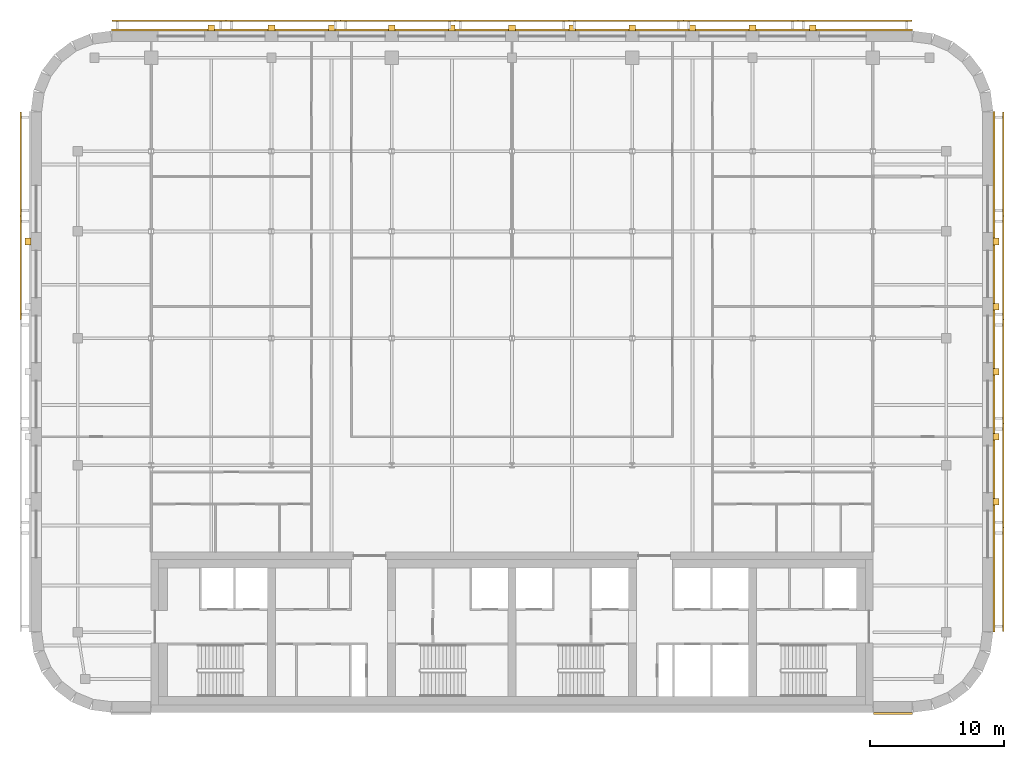
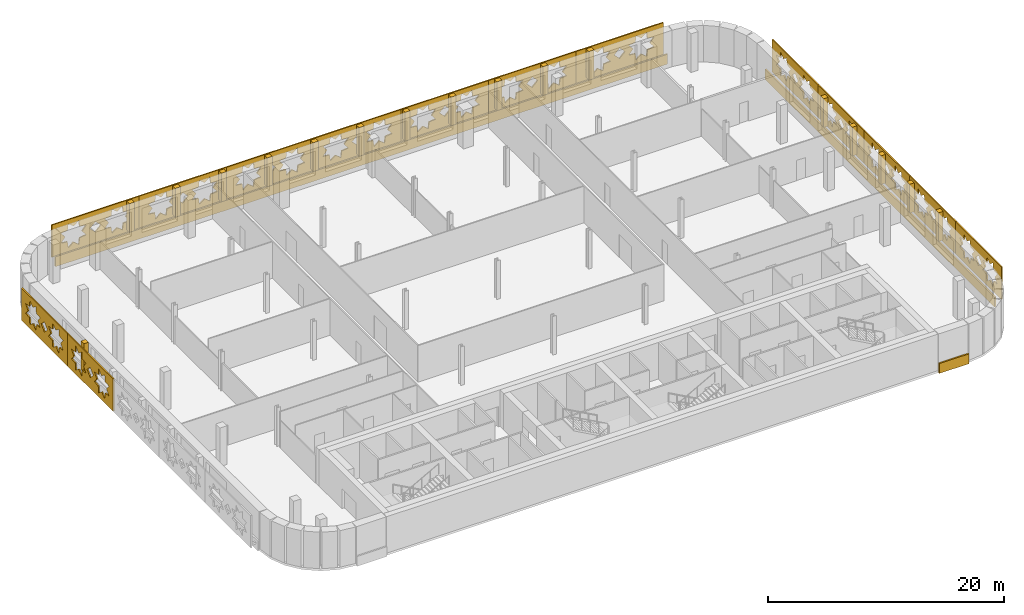
# One storey, part 16 of 16: 34 coverings.
"""IFC4 building model written with IfcOpenShell, lengths in metres."""

from ifc_helpers import new_model, si_unit, direction, frame, origin, place, context, subcontext, project, spatial, polyline, outline, extrude, material, layer, layer_set, type_object, element, save


model = new_model("IFC4")

# Units and contexts
model_context = context("Model", 3, precision=1e-05, world=origin(), true_north=direction((0.0, 1.0)))
body_context = subcontext(model_context, "Body", "Model", "MODEL_VIEW")
ifc_project = project(units=[si_unit("LENGTHUNIT", "METRE"), si_unit("AREAUNIT", "SQUARE_METRE"), si_unit("VOLUMEUNIT", "CUBIC_METRE"), si_unit("PLANEANGLEUNIT", "RADIAN"), si_unit("MASSUNIT", "GRAM", prefix="KILO")], contexts=[model_context])

# Site, building, storey
site_placement = place(None, origin())
site = spatial("IfcSite", under=ifc_project, at=site_placement, CompositionType="ELEMENT")
building_placement = place(site_placement, origin())
building = spatial("IfcBuilding", under=site, at=building_placement, Name="Zellij Exchange Tower", CompositionType="ELEMENT")
storey_placement = place(building_placement, frame((0.0, 0.0, 280.5)))
storey = spatial("IfcBuildingStorey", under=building, at=storey_placement, Name="L66", CompositionType="ELEMENT", Elevation=280.5)

# Coverings
ifc_material_1 = material(Name="Limestone cladding", Category="masonry")
ifc_layer_1 = layer(ifc_material_1, 0.14990234375)
ifc_layer_set_1 = layer_set([ifc_layer_1], Name="Limestone cladding")
covering_type_1 = type_object("IfcCoveringType", Name="ENV-CV1 Stone spandrel band 150", PredefinedType="CLADDING", material=ifc_layer_set_1)
covering_1_placement = place(storey_placement, frame((0.0, 0.0, -0.219970703125)))
element("IfcCovering", 1, at=covering_1_placement, inside=storey, type_object=covering_type_1, Name="Stone spandrel band", PredefinedType="CLADDING", context=body_context, shape_type="SweptSolid", body=[
    extrude(outline(polyline([(27.050048828125, -14.0), (29.973876953125, -14.0), (29.973876953125, -14.14990234375), (27.050048828125, -14.14990234375), (27.050048828125, -14.0)])), origin(), (0.0, 0.0, 1.0), 1.02001953125),
])
covering_2_placement = place(storey_placement, frame((0.0, 0.0, -0.219970703125)))
element("IfcCovering", 2, at=covering_2_placement, inside=storey, type_object=covering_type_1, Name="Stone spandrel band", PredefinedType="CLADDING", context=body_context, shape_type="SweptSolid", body=[
    extrude(outline(polyline([(36.0, -7.973876953125), (36.0, 30.973876953125), (36.14990234375, 30.983642578125), (36.14990234375, -7.983642578125), (36.0, -7.973876953125)])), origin(), (0.0, 0.0, 1.0), 1.02001953125),
])
covering_3_placement = place(storey_placement, frame((0.0, 0.0, -0.219970703125)))
element("IfcCovering", 3, at=covering_3_placement, inside=storey, type_object=covering_type_1, Name="Stone spandrel band", PredefinedType="CLADDING", context=body_context, shape_type="SweptSolid", body=[
    extrude(outline(polyline([(29.973876953125, 37.0), (-29.973876953125, 37.0), (-29.983642578125, 37.14990234375), (29.983642578125, 37.14990234375), (29.973876953125, 37.0)])), origin(), (0.0, 0.0, 1.0), 1.02001953125),
])
covering_type_2 = type_object("IfcCoveringType", Name="ENV-CV4 Stone pier 500x450", PredefinedType="CLADDING", material=ifc_material_1)
covering_4_placement = place(storey_placement, frame((0.0, 0.0, 0.800048828125)))
element("IfcCovering", 4, at=covering_4_placement, inside=storey, type_object=covering_type_2, Name="Stone pier", PredefinedType="CLADDING", context=body_context, shape_type="SweptSolid", body=[
    extrude(outline(polyline([(36.0, 1.51318359375), (36.0, 2.01318359375), (36.449951171875, 2.01318359375), (36.449951171875, 1.51318359375), (36.0, 1.51318359375)])), origin(), (0.0, 0.0, 1.0), 2.97998046875),
])
covering_5_placement = place(storey_placement, frame((0.0, 0.0, 0.800048828125)))
element("IfcCovering", 5, at=covering_5_placement, inside=storey, type_object=covering_type_2, Name="Stone pier", PredefinedType="CLADDING", context=body_context, shape_type="SweptSolid", body=[
    extrude(outline(polyline([(36.0, 6.381591796875), (36.0, 6.881591796875), (36.449951171875, 6.881591796875), (36.449951171875, 6.381591796875), (36.0, 6.381591796875)])), origin(), (0.0, 0.0, 1.0), 2.97998046875),
])
covering_6_placement = place(storey_placement, frame((0.0, 0.0, 0.800048828125)))
element("IfcCovering", 6, at=covering_6_placement, inside=storey, type_object=covering_type_2, Name="Stone pier", PredefinedType="CLADDING", context=body_context, shape_type="SweptSolid", body=[
    extrude(outline(polyline([(36.0, 11.25), (36.0, 11.75), (36.449951171875, 11.75), (36.449951171875, 11.25), (36.0, 11.25)])), origin(), (0.0, 0.0, 1.0), 2.97998046875),
])
covering_7_placement = place(storey_placement, frame((0.0, 0.0, 0.800048828125)))
element("IfcCovering", 7, at=covering_7_placement, inside=storey, type_object=covering_type_2, Name="Stone pier", PredefinedType="CLADDING", context=body_context, shape_type="SweptSolid", body=[
    extrude(outline(polyline([(36.0, 16.118408203125), (36.0, 16.618408203125), (36.449951171875, 16.618408203125), (36.449951171875, 16.118408203125), (36.0, 16.118408203125)])), origin(), (0.0, 0.0, 1.0), 2.97998046875),
])
covering_8_placement = place(storey_placement, frame((0.0, 0.0, 0.800048828125)))
element("IfcCovering", 8, at=covering_8_placement, inside=storey, type_object=covering_type_2, Name="Stone pier", PredefinedType="CLADDING", context=body_context, shape_type="SweptSolid", body=[
    extrude(outline(polyline([(36.0, 20.98681640625), (36.0, 21.48681640625), (36.449951171875, 21.48681640625), (36.449951171875, 20.98681640625), (36.0, 20.98681640625)])), origin(), (0.0, 0.0, 1.0), 2.97998046875),
])
covering_9_placement = place(storey_placement, frame((0.0, 0.0, 0.800048828125)))
element("IfcCovering", 9, at=covering_9_placement, inside=storey, type_object=covering_type_2, Name="Stone pier", PredefinedType="CLADDING", context=body_context, shape_type="SweptSolid", body=[
    extrude(outline(polyline([(22.75, 37.0), (22.25, 37.0), (22.25, 37.449951171875), (22.75, 37.449951171875), (22.75, 37.0)])), origin(), (0.0, 0.0, 1.0), 2.97998046875),
])
covering_10_placement = place(storey_placement, frame((0.0, 0.0, 0.800048828125)))
element("IfcCovering", 10, at=covering_10_placement, inside=storey, type_object=covering_type_2, Name="Stone pier", PredefinedType="CLADDING", context=body_context, shape_type="SweptSolid", body=[
    extrude(outline(polyline([(18.25, 37.0), (17.75, 37.0), (17.75, 37.449951171875), (18.25, 37.449951171875), (18.25, 37.0)])), origin(), (0.0, 0.0, 1.0), 2.97998046875),
])
covering_11_placement = place(storey_placement, frame((0.0, 0.0, 0.800048828125)))
element("IfcCovering", 11, at=covering_11_placement, inside=storey, type_object=covering_type_2, Name="Stone pier", PredefinedType="CLADDING", context=body_context, shape_type="SweptSolid", body=[
    extrude(outline(polyline([(13.75, 37.0), (13.25, 37.0), (13.25, 37.449951171875), (13.75, 37.449951171875), (13.75, 37.0)])), origin(), (0.0, 0.0, 1.0), 2.97998046875),
])
covering_12_placement = place(storey_placement, frame((0.0, 0.0, 0.800048828125)))
element("IfcCovering", 12, at=covering_12_placement, inside=storey, type_object=covering_type_2, Name="Stone pier", PredefinedType="CLADDING", context=body_context, shape_type="SweptSolid", body=[
    extrude(outline(polyline([(9.25, 37.0), (8.75, 37.0), (8.75, 37.449951171875), (9.25, 37.449951171875), (9.25, 37.0)])), origin(), (0.0, 0.0, 1.0), 2.97998046875),
])
covering_13_placement = place(storey_placement, frame((0.0, 0.0, 0.800048828125)))
element("IfcCovering", 13, at=covering_13_placement, inside=storey, type_object=covering_type_2, Name="Stone pier", PredefinedType="CLADDING", context=body_context, shape_type="SweptSolid", body=[
    extrude(outline(polyline([(4.75, 37.0), (4.25, 37.0), (4.25, 37.449951171875), (4.75, 37.449951171875), (4.75, 37.0)])), origin(), (0.0, 0.0, 1.0), 2.97998046875),
])
covering_14_placement = place(storey_placement, frame((0.0, 0.0, 0.800048828125)))
element("IfcCovering", 14, at=covering_14_placement, inside=storey, type_object=covering_type_2, Name="Stone pier", PredefinedType="CLADDING", context=body_context, shape_type="SweptSolid", body=[
    extrude(outline(polyline([(0.25, 37.0), (-0.25, 37.0), (-0.25, 37.449951171875), (0.25, 37.449951171875), (0.25, 37.0)])), origin(), (0.0, 0.0, 1.0), 2.97998046875),
])
covering_15_placement = place(storey_placement, frame((0.0, 0.0, 0.800048828125)))
element("IfcCovering", 15, at=covering_15_placement, inside=storey, type_object=covering_type_2, Name="Stone pier", PredefinedType="CLADDING", context=body_context, shape_type="SweptSolid", body=[
    extrude(outline(polyline([(-4.25, 37.0), (-4.75, 37.0), (-4.75, 37.449951171875), (-4.25, 37.449951171875), (-4.25, 37.0)])), origin(), (0.0, 0.0, 1.0), 2.97998046875),
])
covering_16_placement = place(storey_placement, frame((0.0, 0.0, 0.800048828125)))
element("IfcCovering", 16, at=covering_16_placement, inside=storey, type_object=covering_type_2, Name="Stone pier", PredefinedType="CLADDING", context=body_context, shape_type="SweptSolid", body=[
    extrude(outline(polyline([(-8.75, 37.0), (-9.25, 37.0), (-9.25, 37.449951171875), (-8.75, 37.449951171875), (-8.75, 37.0)])), origin(), (0.0, 0.0, 1.0), 2.97998046875),
])
covering_17_placement = place(storey_placement, frame((0.0, 0.0, 0.800048828125)))
element("IfcCovering", 17, at=covering_17_placement, inside=storey, type_object=covering_type_2, Name="Stone pier", PredefinedType="CLADDING", context=body_context, shape_type="SweptSolid", body=[
    extrude(outline(polyline([(-13.25, 37.0), (-13.75, 37.0), (-13.75, 37.449951171875), (-13.25, 37.449951171875), (-13.25, 37.0)])), origin(), (0.0, 0.0, 1.0), 2.97998046875),
])
covering_18_placement = place(storey_placement, frame((0.0, 0.0, 0.800048828125)))
element("IfcCovering", 18, at=covering_18_placement, inside=storey, type_object=covering_type_2, Name="Stone pier", PredefinedType="CLADDING", context=body_context, shape_type="SweptSolid", body=[
    extrude(outline(polyline([(-17.75, 37.0), (-18.25, 37.0), (-18.25, 37.449951171875), (-17.75, 37.449951171875), (-17.75, 37.0)])), origin(), (0.0, 0.0, 1.0), 2.97998046875),
])
covering_19_placement = place(storey_placement, frame((0.0, 0.0, 0.800048828125)))
element("IfcCovering", 19, at=covering_19_placement, inside=storey, type_object=covering_type_2, Name="Stone pier", PredefinedType="CLADDING", context=body_context, shape_type="SweptSolid", body=[
    extrude(outline(polyline([(-22.25, 37.0), (-22.75, 37.0), (-22.75, 37.449951171875), (-22.25, 37.449951171875), (-22.25, 37.0)])), origin(), (0.0, 0.0, 1.0), 2.97998046875),
])
covering_20_placement = place(storey_placement, frame((0.0, 0.0, 0.800048828125)))
element("IfcCovering", 20, at=covering_20_placement, inside=storey, type_object=covering_type_2, Name="Stone pier", PredefinedType="CLADDING", context=body_context, shape_type="SweptSolid", body=[
    extrude(outline(polyline([(-36.0, 21.48681640625), (-36.0, 20.98681640625), (-36.449951171875, 20.98681640625), (-36.449951171875, 21.48681640625), (-36.0, 21.48681640625)])), origin(), (0.0, 0.0, 1.0), 2.97998046875),
])
ifc_material_2 = material(Name="Limestone screen", Category="masonry")
ifc_layer_2 = layer(ifc_material_2, 0.1201171875)
ifc_layer_set_2 = layer_set([ifc_layer_2], Name="Limestone screen")
covering_type_3 = type_object("IfcCoveringType", Name="ENV-SC1 Pierced stone screen 120", PredefinedType="USERDEFINED", material=ifc_layer_set_2)
for number, where, z_axis, x_axis, name in (
    (21, (-36.760009765625, 30.947509765625, 0.300048828125), (0.0, 0.0, 1.0), (0.0, -1.0, 0.0), "Pierced stone screen"),
    (22, (-36.760009765625, 23.168701171875, 0.300048828125), (0.0, 0.0, 1.0), (0.0, -1.0, 0.0), "Pierced stone screen"),
):
    element("IfcCovering", number, at=place(storey_placement, frame(where, z_axis=z_axis, x_axis=x_axis)), inside=storey, type_object=covering_type_3, Name=name, ObjectType="SCREEN", PredefinedType="USERDEFINED", context=body_context, shape_type="SweptSolid", body=[
        extrude(outline(polyline([(0.0, 0.0), (7.779052734375, 0.0), (7.779052734375, 3.35009765625), (0.0, 3.35009765625), (0.0, 0.0)]), holes=[polyline([(3.182861328125, 2.187744140625), (2.5322265625, 2.262451171875), (2.45751953125, 2.9130859375), (1.94482421875, 2.505859375), (1.431884765625, 2.9130859375), (1.357421875, 2.262451171875), (0.706787109375, 2.187744140625), (1.114013671875, 1.675048828125), (0.706787109375, 1.162109375), (1.357421875, 1.08740234375), (1.431884765625, 0.43701171875), (1.94482421875, 0.84423828125), (2.45751953125, 0.43701171875), (2.5322265625, 1.08740234375), (3.182861328125, 1.162109375), (2.775634765625, 1.675048828125), (3.182861328125, 2.187744140625)]), polyline([(7.072265625, 2.187744140625), (6.421630859375, 2.262451171875), (6.34716796875, 2.9130859375), (5.834228515625, 2.505859375), (5.321533203125, 2.9130859375), (5.246826171875, 2.262451171875), (4.59619140625, 2.187744140625), (5.00341796875, 1.675048828125), (4.59619140625, 1.162109375), (5.246826171875, 1.08740234375), (5.321533203125, 0.43701171875), (5.834228515625, 0.84423828125), (6.34716796875, 0.43701171875), (6.421630859375, 1.08740234375), (7.072265625, 1.162109375), (6.6650390625, 1.675048828125), (7.072265625, 2.187744140625)]), polyline([(4.425537109375, 1.675048828125), (3.889404296875, 2.2109375), (3.353515625, 1.675048828125), (3.889404296875, 1.138916015625), (4.425537109375, 1.675048828125)])]), frame((0.0, 0.06005859375, 0.0), z_axis=(0.0, -1.0, 0.0), x_axis=(1.0, 0.0, 0.0)), (0.0, 0.0, 1.0), 0.1201171875),
    ])
for number, where, z_axis, x_axis, name in (
    (23, (29.947509765625, 37.760009765625, 0.300048828125), (0.0, 0.0, 1.0), (-1.0, 0.0, 0.0), "Pierced stone screen"),
    (24, (21.39111328125, 37.760009765625, 0.300048828125), (0.0, 0.0, 1.0), (-1.0, 0.0, 0.0), "Pierced stone screen"),
    (25, (12.834716796875, 37.760009765625, 0.300048828125), (0.0, 0.0, 1.0), (-1.0, 0.0, 0.0), "Pierced stone screen"),
    (26, (4.2783203125, 37.760009765625, 0.300048828125), (0.0, 0.0, 1.0), (-1.0, 0.0, 0.0), "Pierced stone screen"),
    (27, (-4.2783203125, 37.760009765625, 0.300048828125), (0.0, 0.0, 1.0), (-1.0, 0.0, 0.0), "Pierced stone screen"),
    (28, (-12.834716796875, 37.760009765625, 0.300048828125), (0.0, 0.0, 1.0), (-1.0, 0.0, 0.0), "Pierced stone screen"),
    (29, (-21.39111328125, 37.760009765625, 0.300048828125), (0.0, 0.0, 1.0), (-1.0, 0.0, 0.0), "Pierced stone screen"),
):
    element("IfcCovering", number, at=place(storey_placement, frame(where, z_axis=z_axis, x_axis=x_axis)), inside=storey, type_object=covering_type_3, Name=name, ObjectType="SCREEN", PredefinedType="USERDEFINED", context=body_context, shape_type="SweptSolid", body=[
        extrude(outline(polyline([(0.0, 0.0), (8.556396484375, 0.0), (8.556396484375, 3.35009765625), (0.0, 3.35009765625), (0.0, 0.0)]), holes=[polyline([(3.377197265625, 2.187744140625), (2.7265625, 2.262451171875), (2.65185546875, 2.9130859375), (2.13916015625, 2.505859375), (1.626220703125, 2.9130859375), (1.551513671875, 2.262451171875), (0.901123046875, 2.187744140625), (1.308349609375, 1.675048828125), (0.901123046875, 1.162109375), (1.551513671875, 1.08740234375), (1.626220703125, 0.43701171875), (2.13916015625, 0.84423828125), (2.65185546875, 0.43701171875), (2.7265625, 1.08740234375), (3.377197265625, 1.162109375), (2.969970703125, 1.675048828125), (3.377197265625, 2.187744140625)]), polyline([(7.6552734375, 2.187744140625), (7.0048828125, 2.262451171875), (6.93017578125, 2.9130859375), (6.417236328125, 2.505859375), (5.904541015625, 2.9130859375), (5.829833984375, 2.262451171875), (5.17919921875, 2.187744140625), (5.58642578125, 1.675048828125), (5.17919921875, 1.162109375), (5.829833984375, 1.08740234375), (5.904541015625, 0.43701171875), (6.417236328125, 0.84423828125), (6.93017578125, 0.43701171875), (7.0048828125, 1.08740234375), (7.6552734375, 1.162109375), (7.248046875, 1.675048828125), (7.6552734375, 2.187744140625)]), polyline([(4.814208984375, 1.675048828125), (4.2783203125, 2.2109375), (3.7421875, 1.675048828125), (4.2783203125, 1.138916015625), (4.814208984375, 1.675048828125)])]), frame((0.0, 0.06005859375, 0.0), z_axis=(0.0, -1.0, 0.0), x_axis=(1.0, 0.0, 0.0)), (0.0, 0.0, 1.0), 0.1201171875),
    ])
for number, where, z_axis, x_axis, name in (
    (30, (36.760009765625, -7.947509765625, 0.300048828125), (0.0, 0.0, 1.0), (0.0, 1.0, 0.0), "Pierced stone screen"),
    (31, (36.760009765625, -0.168701171875, 0.300048828125), (0.0, 0.0, 1.0), (0.0, 1.0, 0.0), "Pierced stone screen"),
    (32, (36.760009765625, 7.610595703125, 0.300048828125), (0.0, 0.0, 1.0), (0.0, 1.0, 0.0), "Pierced stone screen"),
    (33, (36.760009765625, 15.389404296875, 0.300048828125), (0.0, 0.0, 1.0), (0.0, 1.0, 0.0), "Pierced stone screen"),
    (34, (36.760009765625, 23.168701171875, 0.300048828125), (0.0, 0.0, 1.0), (0.0, 1.0, 0.0), "Pierced stone screen"),
):
    element("IfcCovering", number, at=place(storey_placement, frame(where, z_axis=z_axis, x_axis=x_axis)), inside=storey, type_object=covering_type_3, Name=name, ObjectType="SCREEN", PredefinedType="USERDEFINED", context=body_context, shape_type="SweptSolid", body=[
        extrude(outline(polyline([(0.0, 0.0), (7.779052734375, 0.0), (7.779052734375, 3.35009765625), (0.0, 3.35009765625), (0.0, 0.0)]), holes=[polyline([(3.182861328125, 2.187744140625), (2.5322265625, 2.262451171875), (2.45751953125, 2.9130859375), (1.94482421875, 2.505859375), (1.431884765625, 2.9130859375), (1.357421875, 2.262451171875), (0.706787109375, 2.187744140625), (1.114013671875, 1.675048828125), (0.706787109375, 1.162109375), (1.357421875, 1.08740234375), (1.431884765625, 0.43701171875), (1.94482421875, 0.84423828125), (2.45751953125, 0.43701171875), (2.5322265625, 1.08740234375), (3.182861328125, 1.162109375), (2.775634765625, 1.675048828125), (3.182861328125, 2.187744140625)]), polyline([(7.072265625, 2.187744140625), (6.421630859375, 2.262451171875), (6.34716796875, 2.9130859375), (5.834228515625, 2.505859375), (5.321533203125, 2.9130859375), (5.246826171875, 2.262451171875), (4.59619140625, 2.187744140625), (5.00341796875, 1.675048828125), (4.59619140625, 1.162109375), (5.246826171875, 1.08740234375), (5.321533203125, 0.43701171875), (5.834228515625, 0.84423828125), (6.34716796875, 0.43701171875), (6.421630859375, 1.08740234375), (7.072265625, 1.162109375), (6.6650390625, 1.675048828125), (7.072265625, 2.187744140625)]), polyline([(4.425537109375, 1.675048828125), (3.889404296875, 2.2109375), (3.353515625, 1.675048828125), (3.889404296875, 1.138916015625), (4.425537109375, 1.675048828125)])]), frame((0.0, 0.06005859375, 0.0), z_axis=(0.0, -1.0, 0.0), x_axis=(1.0, 0.0, 0.0)), (0.0, 0.0, 1.0), 0.1201171875),
    ])

save(model, "model.ifc")
